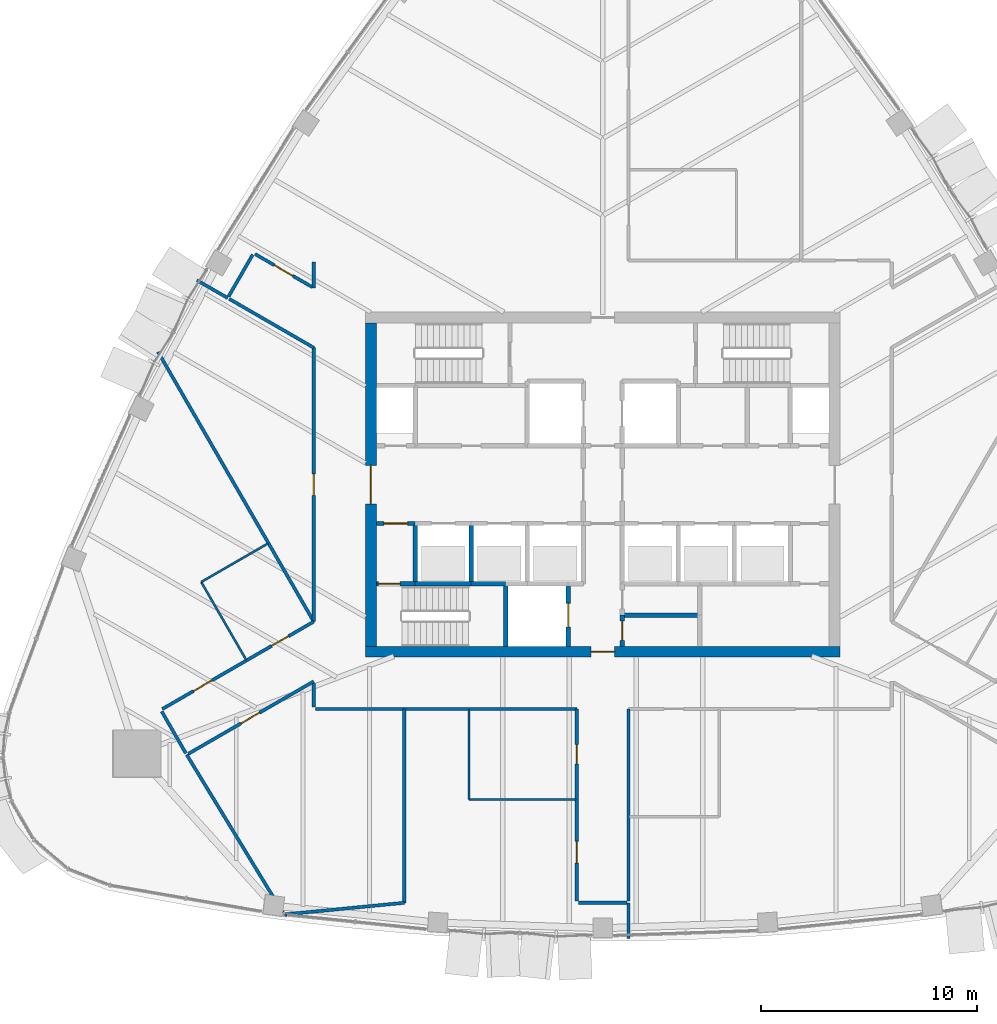
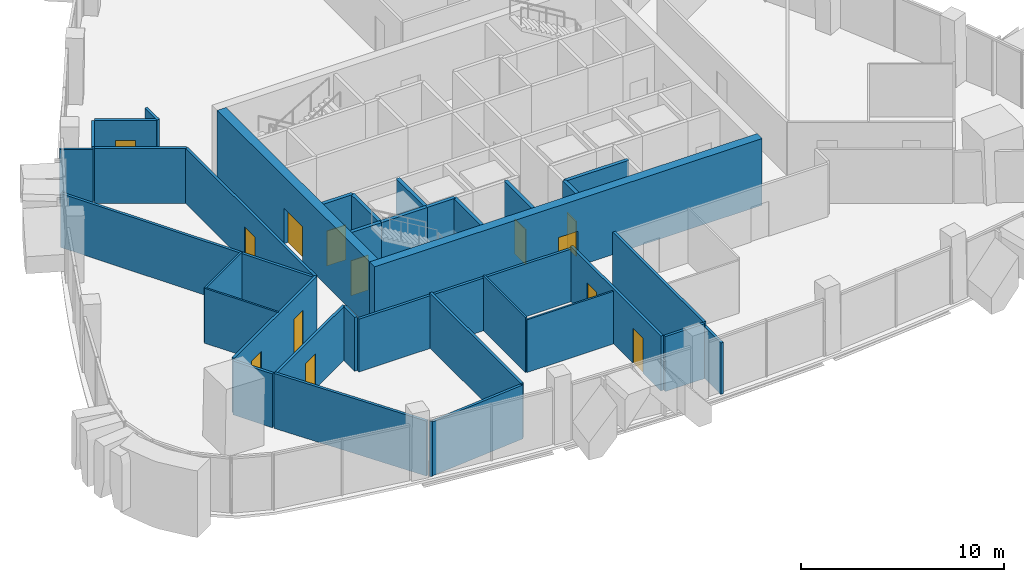
# One storey, part 11 of 18: 36 walls, 13 doors, 13 openings.
"""IFC4 building model written with IfcOpenShell, lengths in metres."""

from ifc_helpers import new_model, si_unit, direction, frame, frame_2d, origin, place, context, subcontext, project, spatial, rectangle, extrude, material, layer, layer_set, type_object, element, fill, save


model = new_model("IFC4")

# Units and contexts
model_context = context("Model", 3, precision=1e-05, world=origin(), true_north=direction((0.0, 1.0)))
body_context = subcontext(model_context, "Body", "Model", "MODEL_VIEW")
ifc_project = project(units=[si_unit("LENGTHUNIT", "METRE"), si_unit("AREAUNIT", "SQUARE_METRE"), si_unit("VOLUMEUNIT", "CUBIC_METRE"), si_unit("PLANEANGLEUNIT", "RADIAN"), si_unit("MASSUNIT", "GRAM", prefix="KILO")], contexts=[model_context])

# Site, building, storey
site_placement = place(None, origin())
site = spatial("IfcSite", under=ifc_project, at=site_placement, CompositionType="ELEMENT")
building_placement = place(site_placement, origin())
building = spatial("IfcBuilding", under=site, at=building_placement, Name="Sierra Prisma Convention Tower", CompositionType="ELEMENT")
storey_placement = place(building_placement, frame((0.0, 0.0, 255.0)))
storey = spatial("IfcBuildingStorey", under=building, at=storey_placement, Name="L57", CompositionType="ELEMENT", Elevation=255.0)

# Walls
ifc_material_1 = material(Name="Gypsum board partition", Category="gypsum")
ifc_layer_1 = layer(ifc_material_1, 0.10009765625)
ifc_layer_set_1 = layer_set([ifc_layer_1], Name="Bathroom partition 100")
wall_type_1 = type_object("IfcWallType", Name="Bathroom partition 100", PredefinedType="PARTITIONING", material=ifc_layer_set_1)
wall_1_placement = place(storey_placement, frame((-16.53271484375, -8.125, 0.0), z_axis=(0.0, 0.0, 1.0), x_axis=(-0.499967396439, 0.866044226641, 0.0)))
element("IfcWall", 1, at=wall_1_placement, inside=storey, type_object=wall_type_1, Name="Partition L57 bath 1", PredefinedType="PARTITIONING", context=body_context, shape_type="SweptSolid", body=[
    extrude(rectangle(XDim=4.170166015625, YDim=0.10009765625, at=frame_2d((2.0849609375, 0.0))), origin(), (0.0, 0.0, 1.0), 3.300048828125),
])
wall_2_placement = place(storey_placement, frame((-18.61767578125, -4.513427734375, 0.0), z_axis=(0.0, 0.0, 1.0), x_axis=(0.866042098853, 0.499971082179, 0.0)))
element("IfcWall", 2, at=wall_2_placement, inside=storey, type_object=wall_type_1, Name="Partition L57 bath 2", PredefinedType="PARTITIONING", context=body_context, shape_type="SweptSolid", body=[
    extrude(rectangle(XDim=3.570068359375, YDim=0.10009765625, at=frame_2d((1.78515625, 0.0))), origin(), (0.0, 0.0, 1.0), 3.300048828125),
])
wall_3_placement = place(storey_placement, frame((-1.22998046875, -14.60009765625, 0.0), z_axis=(0.0, 0.0, 1.0), x_axis=(-1.0, 0.0, 0.0)))
element("IfcWall", 3, at=wall_3_placement, inside=storey, type_object=wall_type_1, Name="Partition L57 bath 3", PredefinedType="PARTITIONING", context=body_context, shape_type="SweptSolid", body=[
    extrude(rectangle(XDim=4.969970703125, YDim=0.10009765625, at=frame_2d((2.48486328125, 0.0))), origin(), (0.0, 0.0, 1.0), 3.1669921875),
])
wall_4_placement = place(storey_placement, frame((-6.199951171875, -14.60009765625, 0.0), z_axis=(0.0, 0.0, 1.0), x_axis=(0.0, 1.0, 0.0)))
element("IfcWall", 4, at=wall_4_placement, inside=storey, type_object=wall_type_1, Name="Partition L57 bath 4", PredefinedType="PARTITIONING", context=body_context, shape_type="SweptSolid", body=[
    extrude(rectangle(XDim=4.170166015625, YDim=0.10009765625, at=frame_2d((2.0849609375, 0.0))), origin(), (0.0, 0.0, 1.0), 3.300048828125),
])

# Wall, opening, door
ifc_material_2 = material(Name="Concrete C30/37", Category="concrete")
ifc_layer_2 = layer(ifc_material_2, 0.199951171875)
ifc_layer_set_2 = layer_set([ifc_layer_2], Name="Core wall RC 200 C30/37")
wall_type_2 = type_object("IfcWallType", Name="Core wall RC 200 C30/37", PredefinedType="SOLIDWALL", material=ifc_layer_set_2)
wall_5_placement = place(storey_placement, frame((-10.5, -4.60009765625, 0.0), z_axis=(0.0, 0.0, 1.0), x_axis=(1.0, 0.0, 0.0)))
wall_5 = element("IfcWall", 5, at=wall_5_placement, inside=storey, type_object=wall_type_2, Name="Core wall L57 1", PredefinedType="SOLIDWALL", context=body_context, shape_type="SweptSolid", body=[
    extrude(rectangle(XDim=1.800048828125, YDim=0.199951171875, at=frame_2d((0.89990234375, 0.0))), origin(), (0.0, 0.0, 1.0), 3.85009765625),
])
opening_1_placement = place(wall_5_placement, frame((0.10009765625, 0.0, 0.0)))
opening_1 = element("IfcOpeningElement", 6, at=opening_1_placement, cuts=wall_5, Name="Opening L57-D017", PredefinedType="OPENING", context=body_context, shape_type="SweptSolid", body=[
    extrude(rectangle(XDim=1.0, YDim=2.10009765625, at=frame_2d((0.5, 1.050048828125))), frame((0.0, 0.10009765625, 0.0), z_axis=(0.0, -1.0, 0.0), x_axis=(1.0, 0.0, 0.0)), (0.0, 0.0, 1.0), 0.199951171875),
])
ifc_material_3 = material(Name="Steel fire door leaf", Category="steel")
door_type_1 = type_object("IfcDoorType", Name="Door 1000x2100 FD90S", OperationType="SINGLE_SWING_LEFT", PredefinedType="DOOR", material=ifc_material_3)
door_1_placement = place(opening_1_placement, origin())
door_1 = element("IfcDoor", 7, at=door_1_placement, inside=storey, type_object=door_type_1, Name="Door L57 32", OperationType="SINGLE_SWING_LEFT", OverallHeight=2.10009765625, OverallWidth=1.0, PredefinedType="DOOR", context=body_context, shape_type="SweptSolid", body=[
    extrude(rectangle(XDim=1.0, YDim=2.10009765625, at=frame_2d((0.5, 1.050048828125))), frame((0.0, 0.02490234375, 0.0), z_axis=(0.0, -1.0, 0.0), x_axis=(1.0, 0.0, 0.0)), (0.0, 0.0, 1.0), 0.050048828125),
])
fill(opening_1, door_1)

wall_6_placement = place(storey_placement, frame((-10.5, -1.800048828125, 0.0), z_axis=(0.0, 0.0, 1.0), x_axis=(1.0, 0.0, 0.0)))
wall_6 = element("IfcWall", 8, at=wall_6_placement, inside=storey, type_object=wall_type_2, Name="Core wall L57 2", PredefinedType="SOLIDWALL", context=body_context, shape_type="SweptSolid", body=[
    extrude(rectangle(XDim=1.800048828125, YDim=0.199951171875, at=frame_2d((0.89990234375, 0.0))), origin(), (0.0, 0.0, 1.0), 3.85009765625),
])
opening_2_placement = place(wall_6_placement, frame((0.35009765625, 0.0, 0.0)))
opening_2 = element("IfcOpeningElement", 9, at=opening_2_placement, cuts=wall_6, Name="Opening L57-D012", PredefinedType="OPENING", context=body_context, shape_type="SweptSolid", body=[
    extrude(rectangle(XDim=1.10009765625, YDim=2.10009765625, at=frame_2d((0.550048828125, 1.050048828125))), frame((0.0, 0.10009765625, 0.0), z_axis=(0.0, -1.0, 0.0), x_axis=(1.0, 0.0, 0.0)), (0.0, 0.0, 1.0), 0.199951171875),
])
ifc_material_4 = material(Name="Steel fire door leaf", Category="steel")
door_type_2 = type_object("IfcDoorType", Name="Door 1100x2100 FD90S", OperationType="SINGLE_SWING_LEFT", PredefinedType="DOOR", material=ifc_material_4)
door_2_placement = place(opening_2_placement, origin())
door_2 = element("IfcDoor", 10, at=door_2_placement, inside=storey, type_object=door_type_2, Name="Door L57 27", OperationType="SINGLE_SWING_LEFT", OverallHeight=2.10009765625, OverallWidth=1.10009765625, PredefinedType="DOOR", context=body_context, shape_type="SweptSolid", body=[
    extrude(rectangle(XDim=1.10009765625, YDim=2.10009765625, at=frame_2d((0.550048828125, 1.050048828125))), frame((0.0, 0.02490234375, 0.0), z_axis=(0.0, -1.0, 0.0), x_axis=(1.0, 0.0, 0.0)), (0.0, 0.0, 1.0), 0.050048828125),
])
fill(opening_2, door_2)

# Walls
wall_7_placement = place(storey_placement, frame((-8.699951171875, -4.60009765625, 0.0), z_axis=(0.0, 0.0, 1.0), x_axis=(1.0, 0.0, 0.0)))
element("IfcWall", 11, at=wall_7_placement, inside=storey, type_object=wall_type_2, Name="Core wall L57 5", PredefinedType="SOLIDWALL", context=body_context, shape_type="SweptSolid", body=[
    extrude(rectangle(XDim=2.599853515625, YDim=0.199951171875, at=frame_2d((1.2998046875, 0.0))), origin(), (0.0, 0.0, 1.0), 3.85009765625),
])
wall_8_placement = place(storey_placement, frame((-8.699951171875, -4.60009765625, 0.0), z_axis=(0.0, 0.0, 1.0), x_axis=(0.0, 1.0, 0.0)))
element("IfcWall", 12, at=wall_8_placement, inside=storey, type_object=wall_type_2, Name="Core wall L57 6", PredefinedType="SOLIDWALL", context=body_context, shape_type="SweptSolid", body=[
    extrude(rectangle(XDim=2.800048828125, YDim=0.199951171875, at=frame_2d((1.39990234375, 0.0))), origin(), (0.0, 0.0, 1.0), 3.85009765625),
])
wall_9_placement = place(storey_placement, frame((-6.10009765625, -4.60009765625, 0.0), z_axis=(0.0, 0.0, 1.0), x_axis=(1.0, 0.0, 0.0)))
element("IfcWall", 13, at=wall_9_placement, inside=storey, type_object=wall_type_2, Name="Core wall L57 11", PredefinedType="SOLIDWALL", context=body_context, shape_type="SweptSolid", body=[
    extrude(rectangle(XDim=1.60009765625, YDim=0.199951171875, at=frame_2d((0.800048828125, 0.0))), origin(), (0.0, 0.0, 1.0), 3.85009765625),
])
wall_10_placement = place(storey_placement, frame((-6.10009765625, -4.60009765625, 0.0), z_axis=(0.0, 0.0, 1.0), x_axis=(0.0, 1.0, 0.0)))
element("IfcWall", 14, at=wall_10_placement, inside=storey, type_object=wall_type_2, Name="Core wall L57 12", PredefinedType="SOLIDWALL", context=body_context, shape_type="SweptSolid", body=[
    extrude(rectangle(XDim=2.800048828125, YDim=0.199951171875, at=frame_2d((1.39990234375, 0.0))), origin(), (0.0, 0.0, 1.0), 3.85009765625),
])
wall_11_placement = place(storey_placement, frame((-4.5, -4.60009765625, 0.0), z_axis=(0.0, 0.0, 1.0), x_axis=(0.0, -1.0, 0.0)))
element("IfcWall", 15, at=wall_11_placement, inside=storey, type_object=wall_type_2, Name="Core wall L57 14", PredefinedType="SOLIDWALL", context=body_context, shape_type="SweptSolid", body=[
    extrude(rectangle(XDim=2.89990234375, YDim=0.199951171875, at=frame_2d((1.449951171875, 0.0))), origin(), (0.0, 0.0, 1.0), 3.85009765625),
])

# Wall, opening, door
wall_12_placement = place(storey_placement, frame((-1.60009765625, -7.5, 0.0), z_axis=(0.0, 0.0, 1.0), x_axis=(0.0, 1.0, 0.0)))
wall_12 = element("IfcWall", 16, at=wall_12_placement, inside=storey, type_object=wall_type_2, Name="Core wall L57 26", PredefinedType="SOLIDWALL", context=body_context, shape_type="SweptSolid", body=[
    extrude(rectangle(XDim=2.89990234375, YDim=0.199951171875, at=frame_2d((1.449951171875, 0.0))), origin(), (0.0, 0.0, 1.0), 3.85009765625),
])
opening_3_placement = place(wall_12_placement, frame((0.89990234375, 0.0, 0.0)))
opening_3 = element("IfcOpeningElement", 17, at=opening_3_placement, cuts=wall_12, Name="Opening L57-D009", PredefinedType="OPENING", context=body_context, shape_type="SweptSolid", body=[
    extrude(rectangle(XDim=1.10009765625, YDim=2.10009765625, at=frame_2d((0.550048828125, 1.050048828125))), frame((0.0, 0.10009765625, 0.0), z_axis=(0.0, -1.0, 0.0), x_axis=(1.0, 0.0, 0.0)), (0.0, 0.0, 1.0), 0.199951171875),
])
ifc_material_5 = material(Name="Steel fire door leaf", Category="steel")
door_type_3 = type_object("IfcDoorType", Name="Door 1100x2100 EI 90 sliding lift landing", OperationType="SLIDING_TO_LEFT", PredefinedType="DOOR", material=ifc_material_5)
door_3_placement = place(opening_3_placement, origin())
door_3 = element("IfcDoor", 18, at=door_3_placement, inside=storey, type_object=door_type_3, Name="Door L57 24", OperationType="SLIDING_TO_LEFT", OverallHeight=2.10009765625, OverallWidth=1.10009765625, PredefinedType="DOOR", context=body_context, shape_type="SweptSolid", body=[
    extrude(rectangle(XDim=1.10009765625, YDim=2.10009765625, at=frame_2d((0.550048828125, 1.050048828125))), frame((0.0, 0.02490234375, 0.0), z_axis=(0.0, -1.0, 0.0), x_axis=(1.0, 0.0, 0.0)), (0.0, 0.0, 1.0), 0.050048828125),
])
fill(opening_3, door_3)

wall_13_placement = place(storey_placement, frame((0.89990234375, -6.050048828125, 0.0), z_axis=(0.0, 0.0, 1.0), x_axis=(0.0, -1.0, 0.0)))
wall_13 = element("IfcWall", 19, at=wall_13_placement, inside=storey, type_object=wall_type_2, Name="Core wall L57 32", PredefinedType="SOLIDWALL", context=body_context, shape_type="SweptSolid", body=[
    extrude(rectangle(XDim=1.449951171875, YDim=0.199951171875, at=frame_2d((0.72509765625, 0.0))), origin(), (0.0, 0.0, 1.0), 3.85009765625),
])
opening_4_placement = place(wall_13_placement, frame((0.27490234375, 0.0, 0.0)))
opening_4 = element("IfcOpeningElement", 20, at=opening_4_placement, cuts=wall_13, Name="Opening L57-D025", PredefinedType="OPENING", context=body_context, shape_type="SweptSolid", body=[
    extrude(rectangle(XDim=0.89990234375, YDim=2.10009765625, at=frame_2d((0.449951171875, 1.050048828125))), frame((0.0, 0.10009765625, 0.0), z_axis=(0.0, -1.0, 0.0), x_axis=(1.0, 0.0, 0.0)), (0.0, 0.0, 1.0), 0.199951171875),
])
ifc_material_6 = material(Name="Steel fire door leaf", Category="steel")
door_type_4 = type_object("IfcDoorType", Name="Door 900x2100 FD30S", OperationType="SINGLE_SWING_LEFT", PredefinedType="DOOR", material=ifc_material_6)
door_4_placement = place(opening_4_placement, origin())
door_4 = element("IfcDoor", 21, at=door_4_placement, inside=storey, type_object=door_type_4, Name="Door L57 40", OperationType="SINGLE_SWING_RIGHT", OverallHeight=2.10009765625, OverallWidth=0.89990234375, PredefinedType="DOOR", context=body_context, shape_type="SweptSolid", body=[
    extrude(rectangle(XDim=0.89990234375, YDim=2.10009765625, at=frame_2d((0.449951171875, 1.050048828125))), frame((0.0, 0.02490234375, 0.0), z_axis=(0.0, -1.0, 0.0), x_axis=(1.0, 0.0, 0.0)), (0.0, 0.0, 1.0), 0.050048828125),
])
fill(opening_4, door_4)

# Wall
wall_14_placement = place(storey_placement, frame((4.5, -6.050048828125, 0.0), z_axis=(0.0, 0.0, 1.0), x_axis=(-1.0, 0.0, 0.0)))
element("IfcWall", 22, at=wall_14_placement, inside=storey, type_object=wall_type_2, Name="Core wall L57 33", PredefinedType="SOLIDWALL", context=body_context, shape_type="SweptSolid", body=[
    extrude(rectangle(XDim=3.60009765625, YDim=0.199951171875, at=frame_2d((1.800048828125, 0.0))), origin(), (0.0, 0.0, 1.0), 3.85009765625),
])

# Wall, opening, door
ifc_material_7 = material(Name="Concrete C50/60", Category="concrete")
ifc_layer_3 = layer(ifc_material_7, 0.5)
ifc_layer_set_3 = layer_set([ifc_layer_3], Name="Core wall RC 500 C50/60")
wall_type_3 = type_object("IfcWallType", Name="Core wall RC 500 C50/60", PredefinedType="SHEAR", material=ifc_layer_set_3)
wall_15_placement = place(storey_placement, frame((-11.0, -7.75, 0.0), z_axis=(0.0, 0.0, 1.0), x_axis=(1.0, 0.0, 0.0)))
wall_15 = element("IfcWall", 23, at=wall_15_placement, inside=storey, type_object=wall_type_3, Name="Core wall S L57", PredefinedType="SHEAR", context=body_context, shape_type="SweptSolid", body=[
    extrude(rectangle(XDim=22.0, YDim=0.5, at=frame_2d((11.0, 0.0))), origin(), (0.0, 0.0, 1.0), 4.0),
])
opening_5_placement = place(wall_15_placement, frame((10.449951171875, 0.0, 0.0)))
opening_5 = element("IfcOpeningElement", 24, at=opening_5_placement, cuts=wall_15, Name="Opening L57-D044", PredefinedType="OPENING", context=body_context, shape_type="SweptSolid", body=[
    extrude(rectangle(XDim=1.10009765625, YDim=2.10009765625, at=frame_2d((0.550048828125, 1.050048828125))), frame((0.0, 0.25, 0.0), z_axis=(0.0, -1.0, 0.0), x_axis=(1.0, 0.0, 0.0)), (0.0, 0.0, 1.0), 0.5),
])
ifc_material_8 = material(Name="Steel fire door leaf", Category="steel")
door_type_5 = type_object("IfcDoorType", Name="Door 1100x2100 FD30S", OperationType="SINGLE_SWING_LEFT", PredefinedType="DOOR", material=ifc_material_8)
door_5_placement = place(opening_5_placement, origin())
door_5 = element("IfcDoor", 25, at=door_5_placement, inside=storey, type_object=door_type_5, Name="Door L57 45", OperationType="SINGLE_SWING_RIGHT", OverallHeight=2.10009765625, OverallWidth=1.10009765625, PredefinedType="DOOR", context=body_context, shape_type="SweptSolid", body=[
    extrude(rectangle(XDim=1.10009765625, YDim=2.10009765625, at=frame_2d((0.550048828125, 1.050048828125))), frame((0.0, 0.02490234375, 0.0), z_axis=(0.0, -1.0, 0.0), x_axis=(1.0, 0.0, 0.0)), (0.0, 0.0, 1.0), 0.050048828125),
])
fill(opening_5, door_5)

wall_16_placement = place(storey_placement, frame((-10.75, -7.5, 0.0), z_axis=(0.0, 0.0, 1.0), x_axis=(0.0, 1.0, 0.0)))
wall_16 = element("IfcWall", 26, at=wall_16_placement, inside=storey, type_object=wall_type_3, Name="Core wall W L57", PredefinedType="SHEAR", context=body_context, shape_type="SweptSolid", body=[
    extrude(rectangle(XDim=15.0, YDim=0.5, at=frame_2d((7.5, 0.0))), origin(), (0.0, 0.0, 1.0), 4.0),
])
opening_6_placement = place(wall_16_placement, frame((6.60009765625, 0.0, 0.0)))
opening_6 = element("IfcOpeningElement", 27, at=opening_6_placement, cuts=wall_16, Name="Opening L57-D045", PredefinedType="OPENING", context=body_context, shape_type="SweptSolid", body=[
    extrude(rectangle(XDim=1.800048828125, YDim=2.10009765625, at=frame_2d((0.89990234375, 1.050048828125))), frame((0.0, 0.25, 0.0), z_axis=(0.0, -1.0, 0.0), x_axis=(1.0, 0.0, 0.0)), (0.0, 0.0, 1.0), 0.5),
])
ifc_material_9 = material(Name="Steel fire door leaf", Category="steel")
door_type_6 = type_object("IfcDoorType", Name="Door 1800x2100 FD60S", OperationType="DOUBLE_DOOR_SINGLE_SWING", PredefinedType="DOOR", material=ifc_material_9)
door_6_placement = place(opening_6_placement, origin())
door_6 = element("IfcDoor", 28, at=door_6_placement, inside=storey, type_object=door_type_6, Name="Door L57 42", OperationType="DOUBLE_DOOR_SINGLE_SWING", OverallHeight=2.10009765625, OverallWidth=1.800048828125, PredefinedType="DOOR", context=body_context, shape_type="SweptSolid", body=[
    extrude(rectangle(XDim=1.800048828125, YDim=2.10009765625, at=frame_2d((0.89990234375, 1.050048828125))), frame((0.0, 0.02490234375, 0.0), z_axis=(0.0, -1.0, 0.0), x_axis=(1.0, 0.0, 0.0)), (0.0, 0.0, 1.0), 0.050048828125),
])
fill(opening_6, door_6)

# Wall
ifc_material_10 = material(Name="Gypsum board partition", Category="gypsum")
ifc_layer_4 = layer(ifc_material_10, 0.14990234375)
ifc_layer_set_4 = layer_set([ifc_layer_4], Name="Corridor wall 150 gypsum EI 60")
wall_type_4 = type_object("IfcWallType", Name="Corridor wall 150 gypsum EI 60", PredefinedType="PARTITIONING", material=ifc_layer_set_4)
wall_17_placement = place(storey_placement, frame((-20.451171875, -10.51416015625, 0.0), z_axis=(0.0, 0.0, 1.0), x_axis=(0.49994888933, -0.866054910533, 0.0)))
element("IfcWall", 29, at=wall_17_placement, inside=storey, type_object=wall_type_4, Name="Partition L57 corr 1", PredefinedType="PARTITIONING", context=body_context, shape_type="SweptSolid", body=[
    extrude(rectangle(XDim=2.239990234375, YDim=0.14990234375, at=frame_2d((1.1201171875, 0.0))), origin(), (0.0, 0.0, 1.0), 3.23291015625),
])

# Wall, openings, doors
wall_18_placement = place(storey_placement, frame((-13.39990234375, -6.350830078125, 0.0), z_axis=(0.0, 0.0, 1.0), x_axis=(-0.866035161949, -0.499983097982, 0.0)))
wall_18 = element("IfcWall", 30, at=wall_18_placement, inside=storey, type_object=wall_type_4, Name="Partition L57 corr 2", PredefinedType="PARTITIONING", context=body_context, shape_type="SweptSolid", body=[
    extrude(rectangle(XDim=8.108154296875, YDim=0.14990234375, at=frame_2d((4.05419921875, 0.0))), origin(), (0.0, 0.0, 1.0), 3.300048828125),
])
opening_7_placement = place(wall_18_placement, frame((1.35009765625, 0.0, 0.0)))
opening_7 = element("IfcOpeningElement", 31, at=opening_7_placement, cuts=wall_18, Name="Opening L57-D033", PredefinedType="OPENING", context=body_context, shape_type="SweptSolid", body=[
    extrude(rectangle(XDim=0.89990234375, YDim=2.10009765625, at=frame_2d((0.449951171875, 1.050048828125))), frame((0.0, 0.074951171875, 0.0), z_axis=(0.0, -1.0, 0.0), x_axis=(1.0, 0.0, 0.0)), (0.0, 0.0, 1.0), 0.14990234375),
])
opening_8_placement = place(wall_18_placement, frame((5.444091796875, 0.0, 0.0)))
opening_8 = element("IfcOpeningElement", 32, at=opening_8_placement, cuts=wall_18, Name="Opening L57-D034", PredefinedType="OPENING", context=body_context, shape_type="SweptSolid", body=[
    extrude(rectangle(XDim=1.0, YDim=2.10009765625, at=frame_2d((0.5, 1.050048828125))), frame((0.0, 0.074951171875, 0.0), z_axis=(0.0, -1.0, 0.0), x_axis=(1.0, 0.0, 0.0)), (0.0, 0.0, 1.0), 0.14990234375),
])
ifc_material_11 = material(Name="Steel fire door leaf", Category="steel")
door_type_7 = type_object("IfcDoorType", Name="Door 1000x2100 FD30S", OperationType="SINGLE_SWING_LEFT", PredefinedType="DOOR", material=ifc_material_11)
door_7_placement = place(opening_8_placement, origin())
door_7 = element("IfcDoor", 33, at=door_7_placement, inside=storey, type_object=door_type_7, Name="Door L57 8", OperationType="SINGLE_SWING_LEFT", OverallHeight=2.10009765625, OverallWidth=1.0, PredefinedType="DOOR", context=body_context, shape_type="SweptSolid", body=[
    extrude(rectangle(XDim=1.0, YDim=2.10009765625, at=frame_2d((0.5, 1.050048828125))), frame((0.0, 0.02490234375, 0.0), z_axis=(0.0, -1.0, 0.0), x_axis=(1.0, 0.0, 0.0)), (0.0, 0.0, 1.0), 0.050048828125),
])
fill(opening_8, door_7)
door_8_placement = place(opening_7_placement, origin())
door_8 = element("IfcDoor", 34, at=door_8_placement, inside=storey, type_object=door_type_4, Name="Door L57 7", OperationType="SINGLE_SWING_LEFT", OverallHeight=2.10009765625, OverallWidth=0.89990234375, PredefinedType="DOOR", context=body_context, shape_type="SweptSolid", body=[
    extrude(rectangle(XDim=0.89990234375, YDim=2.10009765625, at=frame_2d((0.449951171875, 1.050048828125))), frame((0.0, 0.02490234375, 0.0), z_axis=(0.0, -1.0, 0.0), x_axis=(1.0, 0.0, 0.0)), (0.0, 0.0, 1.0), 0.050048828125),
])
fill(opening_7, door_8)

# Wall, opening, door
wall_19_placement = place(storey_placement, frame((-19.221923828125, -12.4833984375, 0.0), z_axis=(0.0, 0.0, 1.0), x_axis=(0.866026533947, 0.499998042495, 0.0)))
wall_19 = element("IfcWall", 35, at=wall_19_placement, inside=storey, type_object=wall_type_4, Name="Partition L57 corr 3", PredefinedType="PARTITIONING", context=body_context, shape_type="SweptSolid", body=[
    extrude(rectangle(XDim=6.72265625, YDim=0.14990234375, at=frame_2d((3.361328125, 0.0))), origin(), (0.0, 0.0, 1.0), 3.23291015625),
])
opening_9_placement = place(wall_19_placement, frame((2.8212890625, 0.0, 0.0)))
opening_9 = element("IfcOpeningElement", 36, at=opening_9_placement, cuts=wall_19, Name="Opening L57-D035", PredefinedType="OPENING", context=body_context, shape_type="SweptSolid", body=[
    extrude(rectangle(XDim=1.0, YDim=2.10009765625, at=frame_2d((0.5, 1.050048828125))), frame((0.0, 0.074951171875, 0.0), z_axis=(0.0, -1.0, 0.0), x_axis=(1.0, 0.0, 0.0)), (0.0, 0.0, 1.0), 0.14990234375),
])
door_9_placement = place(opening_9_placement, origin())
door_9 = element("IfcDoor", 37, at=door_9_placement, inside=storey, type_object=door_type_7, Name="Door L57 9", OperationType="SINGLE_SWING_LEFT", OverallHeight=2.10009765625, OverallWidth=1.0, PredefinedType="DOOR", context=body_context, shape_type="SweptSolid", body=[
    extrude(rectangle(XDim=1.0, YDim=2.10009765625, at=frame_2d((0.5, 1.050048828125))), frame((0.0, 0.02490234375, 0.0), z_axis=(0.0, -1.0, 0.0), x_axis=(1.0, 0.0, 0.0)), (0.0, 0.0, 1.0), 0.050048828125),
])
fill(opening_9, door_9)

# Walls
wall_20_placement = place(storey_placement, frame((-13.39990234375, -9.213623046875, 0.0), z_axis=(0.0, 0.0, 1.0), x_axis=(0.0, -1.0, 0.0)))
element("IfcWall", 38, at=wall_20_placement, inside=storey, type_object=wall_type_4, Name="Partition L57 corr 4", PredefinedType="PARTITIONING", context=body_context, shape_type="SweptSolid", body=[
    extrude(rectangle(XDim=1.1064453125, YDim=0.14990234375, at=frame_2d((0.55322265625, 0.0))), origin(), (0.0, 0.0, 1.0), 3.23291015625),
])
wall_21_placement = place(storey_placement, frame((-16.23095703125, 10.664306640625, 0.0), z_axis=(0.0, 0.0, 1.0), x_axis=(-0.500030632641, -0.866007717299, 0.0)))
element("IfcWall", 39, at=wall_21_placement, inside=storey, type_object=wall_type_4, Name="Partition L57 corr 5", PredefinedType="PARTITIONING", context=body_context, shape_type="SweptSolid", body=[
    extrude(rectangle(XDim=2.239990234375, YDim=0.14990234375, at=frame_2d((1.1201171875, 0.0))), origin(), (0.0, 0.0, 1.0), 3.300048828125),
])
wall_22_placement = place(storey_placement, frame((-17.32177734375, 8.614990234375, 0.0), z_axis=(0.0, 0.0, 1.0), x_axis=(0.866038353239, -0.499977570215, 0.0)))
element("IfcWall", 40, at=wall_22_placement, inside=storey, type_object=wall_type_4, Name="Partition L57 corr 6", PredefinedType="PARTITIONING", context=body_context, shape_type="SweptSolid", body=[
    extrude(rectangle(XDim=4.528564453125, YDim=0.14990234375, at=frame_2d((2.26416015625, 0.0))), origin(), (0.0, 0.0, 1.0), 3.300048828125),
])

# Wall, opening, door
wall_23_placement = place(storey_placement, frame((-13.39990234375, 6.350830078125, 0.0), z_axis=(0.0, 0.0, 1.0), x_axis=(0.0, -1.0, 0.0)))
wall_23 = element("IfcWall", 41, at=wall_23_placement, inside=storey, type_object=wall_type_4, Name="Partition L57 corr 7", PredefinedType="PARTITIONING", context=body_context, shape_type="SweptSolid", body=[
    extrude(rectangle(XDim=12.70166015625, YDim=0.14990234375, at=frame_2d((6.350830078125, 0.0))), origin(), (0.0, 0.0, 1.0), 3.300048828125),
])
opening_10_placement = place(wall_23_placement, frame((5.850830078125, 0.0, 0.0)))
opening_10 = element("IfcOpeningElement", 42, at=opening_10_placement, cuts=wall_23, Name="Opening L57-D032", PredefinedType="OPENING", context=body_context, shape_type="SweptSolid", body=[
    extrude(rectangle(XDim=1.0, YDim=2.10009765625, at=frame_2d((0.5, 1.050048828125))), frame((0.0, 0.074951171875, 0.0), z_axis=(0.0, -1.0, 0.0), x_axis=(1.0, 0.0, 0.0)), (0.0, 0.0, 1.0), 0.14990234375),
])
door_10_placement = place(opening_10_placement, origin())
door_10 = element("IfcDoor", 43, at=door_10_placement, inside=storey, type_object=door_type_7, Name="Door L57 6", OperationType="SINGLE_SWING_LEFT", OverallHeight=2.10009765625, OverallWidth=1.0, PredefinedType="DOOR", context=body_context, shape_type="SweptSolid", body=[
    extrude(rectangle(XDim=1.0, YDim=2.10009765625, at=frame_2d((0.5, 1.050048828125))), frame((0.0, 0.02490234375, 0.0), z_axis=(0.0, -1.0, 0.0), x_axis=(1.0, 0.0, 0.0)), (0.0, 0.0, 1.0), 0.050048828125),
])
fill(opening_10, door_10)

# Wall
wall_24_placement = place(storey_placement, frame((-13.39990234375, 10.320068359375, 0.0), z_axis=(0.0, 0.0, 1.0), x_axis=(0.0, -1.0, 0.0)))
element("IfcWall", 44, at=wall_24_placement, inside=storey, type_object=wall_type_4, Name="Partition L57 corr 8", PredefinedType="PARTITIONING", context=body_context, shape_type="SweptSolid", body=[
    extrude(rectangle(XDim=1.197998046875, YDim=0.14990234375, at=frame_2d((0.59912109375, 0.0))), origin(), (0.0, 0.0, 1.0), 3.300048828125),
])

# Wall, opening, door
wall_25_placement = place(storey_placement, frame((-13.479248046875, 9.16796875, 0.0), z_axis=(0.0, 0.0, 1.0), x_axis=(-0.866013691268, 0.500020286125, 0.0)))
wall_25 = element("IfcWall", 45, at=wall_25_placement, inside=storey, type_object=wall_type_4, Name="Partition L57 corr 9", PredefinedType="PARTITIONING", context=body_context, shape_type="SweptSolid", body=[
    extrude(rectangle(XDim=3.051025390625, YDim=0.14990234375, at=frame_2d((1.525390625, 0.0))), origin(), (0.0, 0.0, 1.0), 3.300048828125),
])
opening_11_placement = place(wall_25_placement, frame((1.019775390625, 0.0, 0.0)))
opening_11 = element("IfcOpeningElement", 46, at=opening_11_placement, cuts=wall_25, Name="Opening L57-D031", PredefinedType="OPENING", context=body_context, shape_type="SweptSolid", body=[
    extrude(rectangle(XDim=1.0, YDim=2.10009765625, at=frame_2d((0.5, 1.050048828125))), frame((0.0, 0.074951171875, 0.0), z_axis=(0.0, -1.0, 0.0), x_axis=(1.0, 0.0, 0.0)), (0.0, 0.0, 1.0), 0.14990234375),
])
door_11_placement = place(opening_11_placement, origin())
door_11 = element("IfcDoor", 47, at=door_11_placement, inside=storey, type_object=door_type_7, Name="Door L57 5", OperationType="SINGLE_SWING_RIGHT", OverallHeight=2.10009765625, OverallWidth=1.0, PredefinedType="DOOR", context=body_context, shape_type="SweptSolid", body=[
    extrude(rectangle(XDim=1.0, YDim=2.10009765625, at=frame_2d((0.5, 1.050048828125))), frame((0.0, 0.02490234375, 0.0), z_axis=(0.0, -1.0, 0.0), x_axis=(1.0, 0.0, 0.0)), (0.0, 0.0, 1.0), 0.050048828125),
])
fill(opening_11, door_11)

# Wall
wall_26_placement = place(storey_placement, frame((-13.320068359375, -10.39990234375, 0.0), z_axis=(0.0, 0.0, 1.0), x_axis=(1.0, 0.0, 0.0)))
element("IfcWall", 48, at=wall_26_placement, inside=storey, type_object=wall_type_4, Name="Partition L57 corr 10", PredefinedType="PARTITIONING", context=body_context, shape_type="SweptSolid", body=[
    extrude(rectangle(XDim=12.1201171875, YDim=0.14990234375, at=frame_2d((6.06005859375, 0.0))), origin(), (0.0, 0.0, 1.0), 3.1669921875),
])

# Wall, openings, doors
wall_27_placement = place(storey_placement, frame((-1.199951171875, -10.39990234375, 0.0), z_axis=(0.0, 0.0, 1.0), x_axis=(0.0, -1.0, 0.0)))
wall_27 = element("IfcWall", 49, at=wall_27_placement, inside=storey, type_object=wall_type_4, Name="Partition L57 corr 11", PredefinedType="PARTITIONING", context=body_context, shape_type="SweptSolid", body=[
    extrude(rectangle(XDim=8.90869140625, YDim=0.14990234375, at=frame_2d((4.454345703125, 0.0))), origin(), (0.0, 0.0, 1.0), 3.300048828125),
])
opening_12_placement = place(wall_27_placement, frame((1.64990234375, 0.0, 0.0)))
opening_12 = element("IfcOpeningElement", 50, at=opening_12_placement, cuts=wall_27, Name="Opening L57-D036", PredefinedType="OPENING", context=body_context, shape_type="SweptSolid", body=[
    extrude(rectangle(XDim=0.89990234375, YDim=2.10009765625, at=frame_2d((0.449951171875, 1.050048828125))), frame((0.0, 0.074951171875, 0.0), z_axis=(0.0, -1.0, 0.0), x_axis=(1.0, 0.0, 0.0)), (0.0, 0.0, 1.0), 0.14990234375),
])
opening_13_placement = place(wall_27_placement, frame((6.144287109375, 0.0, 0.0)))
opening_13 = element("IfcOpeningElement", 51, at=opening_13_placement, cuts=wall_27, Name="Opening L57-D037", PredefinedType="OPENING", context=body_context, shape_type="SweptSolid", body=[
    extrude(rectangle(XDim=1.0, YDim=2.10009765625, at=frame_2d((0.5, 1.050048828125))), frame((0.0, 0.074951171875, 0.0), z_axis=(0.0, -1.0, 0.0), x_axis=(1.0, 0.0, 0.0)), (0.0, 0.0, 1.0), 0.14990234375),
])
door_12_placement = place(opening_13_placement, origin())
door_12 = element("IfcDoor", 52, at=door_12_placement, inside=storey, type_object=door_type_7, Name="Door L57 11", OperationType="SINGLE_SWING_RIGHT", OverallHeight=2.10009765625, OverallWidth=1.0, PredefinedType="DOOR", context=body_context, shape_type="SweptSolid", body=[
    extrude(rectangle(XDim=1.0, YDim=2.10009765625, at=frame_2d((0.5, 1.050048828125))), frame((0.0, 0.02490234375, 0.0), z_axis=(0.0, -1.0, 0.0), x_axis=(1.0, 0.0, 0.0)), (0.0, 0.0, 1.0), 0.050048828125),
])
fill(opening_13, door_12)
door_13_placement = place(opening_12_placement, origin())
door_13 = element("IfcDoor", 53, at=door_13_placement, inside=storey, type_object=door_type_4, Name="Door L57 10", OperationType="SINGLE_SWING_LEFT", OverallHeight=2.10009765625, OverallWidth=0.89990234375, PredefinedType="DOOR", context=body_context, shape_type="SweptSolid", body=[
    extrude(rectangle(XDim=0.89990234375, YDim=2.10009765625, at=frame_2d((0.449951171875, 1.050048828125))), frame((0.0, 0.02490234375, 0.0), z_axis=(0.0, -1.0, 0.0), x_axis=(1.0, 0.0, 0.0)), (0.0, 0.0, 1.0), 0.050048828125),
])
fill(opening_12, door_13)

# Walls
wall_28_placement = place(storey_placement, frame((-1.1201171875, -19.388671875, 0.0), z_axis=(0.0, 0.0, 1.0), x_axis=(1.0, 0.0, 0.0)))
element("IfcWall", 54, at=wall_28_placement, inside=storey, type_object=wall_type_4, Name="Partition L57 corr 12", PredefinedType="PARTITIONING", context=body_context, shape_type="SweptSolid", body=[
    extrude(rectangle(XDim=2.240234375, YDim=0.14990234375, at=frame_2d((1.1201171875, 0.0))), origin(), (0.0, 0.0, 1.0), 3.300048828125),
])
wall_29_placement = place(storey_placement, frame((1.199951171875, -19.30859375, 0.0), z_axis=(0.0, 0.0, 1.0), x_axis=(0.0, 1.0, 0.0)))
element("IfcWall", 55, at=wall_29_placement, inside=storey, type_object=wall_type_4, Name="Partition L57 corr 14", PredefinedType="PARTITIONING", context=body_context, shape_type="SweptSolid", body=[
    extrude(rectangle(XDim=8.90869140625, YDim=0.14990234375, at=frame_2d((4.454345703125, 0.0))), origin(), (0.0, 0.0, 1.0), 3.300048828125),
])
ifc_material_12 = material(Name="Gypsum board partition", Category="gypsum")
ifc_layer_5 = layer(ifc_material_12, 0.14990234375)
ifc_layer_set_5 = layer_set([ifc_layer_5], Name="Party wall 150 gypsum")
wall_type_5 = type_object("IfcWallType", Name="Party wall 150 gypsum", PredefinedType="PARTITIONING", material=ifc_layer_set_5)
wall_30_placement = place(storey_placement, frame((-13.39990234375, -6.350830078125, 0.0), z_axis=(0.0, 0.0, 1.0), x_axis=(-0.500001511722, 0.866024530989, 0.0)))
element("IfcWall", 56, at=wall_30_placement, inside=storey, type_object=wall_type_5, Name="Partition L57 party 1", PredefinedType="PARTITIONING", context=body_context, shape_type="SweptSolid", body=[
    extrude(rectangle(XDim=14.439453125, YDim=0.14990234375, at=frame_2d((7.2197265625, 0.0))), origin(), (0.0, 0.0, 1.0), 3.23388671875),
])
wall_31_placement = place(storey_placement, frame((-19.291259765625, -12.5234375, 0.0), z_axis=(0.0, 0.0, 1.0), x_axis=(0.519733387124, -0.854328511937, 0.0)))
element("IfcWall", 57, at=wall_31_placement, inside=storey, type_object=wall_type_5, Name="Partition L57 party 2", PredefinedType="PARTITIONING", context=body_context, shape_type="SweptSolid", body=[
    extrude(rectangle(XDim=8.5595703125, YDim=0.14990234375, at=frame_2d((4.27978515625, 0.0))), origin(), (0.0, 0.0, 1.0), 3.300048828125),
])
wall_32_placement = place(storey_placement, frame((-17.39111328125, 8.655029296875, 0.0), z_axis=(0.0, 0.0, 1.0), x_axis=(-0.865966208357, 0.500102515474, 0.0)))
element("IfcWall", 58, at=wall_32_placement, inside=storey, type_object=wall_type_5, Name="Partition L57 party 3", PredefinedType="PARTITIONING", context=body_context, shape_type="SweptSolid", body=[
    extrude(rectangle(XDim=1.649658203125, YDim=0.14990234375, at=frame_2d((0.82470703125, 0.0))), origin(), (0.0, 0.0, 1.0), 3.23388671875),
])
wall_33_placement = place(storey_placement, frame((-9.199951171875, -10.39990234375, 0.0), z_axis=(0.0, 0.0, 1.0), x_axis=(0.0, -1.0, 0.0)))
element("IfcWall", 59, at=wall_33_placement, inside=storey, type_object=wall_type_5, Name="Partition L57 party 4", PredefinedType="PARTITIONING", context=body_context, shape_type="SweptSolid", body=[
    extrude(rectangle(XDim=8.98876953125, YDim=0.14990234375, at=frame_2d((4.494384765625, 0.0))), origin(), (0.0, 0.0, 1.0), 3.300048828125),
])
wall_34_placement = place(storey_placement, frame((-9.199951171875, -19.388671875, 0.0), z_axis=(0.0, 0.0, 1.0), x_axis=(-0.995304202409, -0.096796408342, 0.0)))
element("IfcWall", 60, at=wall_34_placement, inside=storey, type_object=wall_type_5, Name="Partition L57 party 5", PredefinedType="PARTITIONING", context=body_context, shape_type="SweptSolid", body=[
    extrude(rectangle(XDim=5.5185546875, YDim=0.14990234375, at=frame_2d((2.75927734375, 0.0))), origin(), (0.0, 0.0, 1.0), 3.23388671875),
])
wall_35_placement = place(storey_placement, frame((-14.74267578125, -20.009521484375, 0.0), z_axis=(0.0, 0.0, 1.0), x_axis=(0.418254272616, 0.908329985984, 0.0)))
element("IfcWall", 61, at=wall_35_placement, inside=storey, type_object=wall_type_5, Name="Partition L57 party 6", PredefinedType="PARTITIONING", context=body_context, shape_type="SweptSolid", body=[
    extrude(rectangle(XDim=0.115478515625, YDim=0.14990234375, at=frame_2d((0.0576171875, 0.0))), origin(), (0.0, 0.0, 1.0), 3.300048828125),
])
wall_36_placement = place(storey_placement, frame((1.199951171875, -19.388671875, 0.0), z_axis=(0.0, 0.0, 1.0), x_axis=(0.0, -1.0, 0.0)))
element("IfcWall", 62, at=wall_36_placement, inside=storey, type_object=wall_type_5, Name="Partition L57 party 7", PredefinedType="PARTITIONING", context=body_context, shape_type="SweptSolid", body=[
    extrude(rectangle(XDim=1.649658203125, YDim=0.14990234375, at=frame_2d((0.82470703125, 0.0))), origin(), (0.0, 0.0, 1.0), 3.083984375),
])

save(model, "model.ifc")
